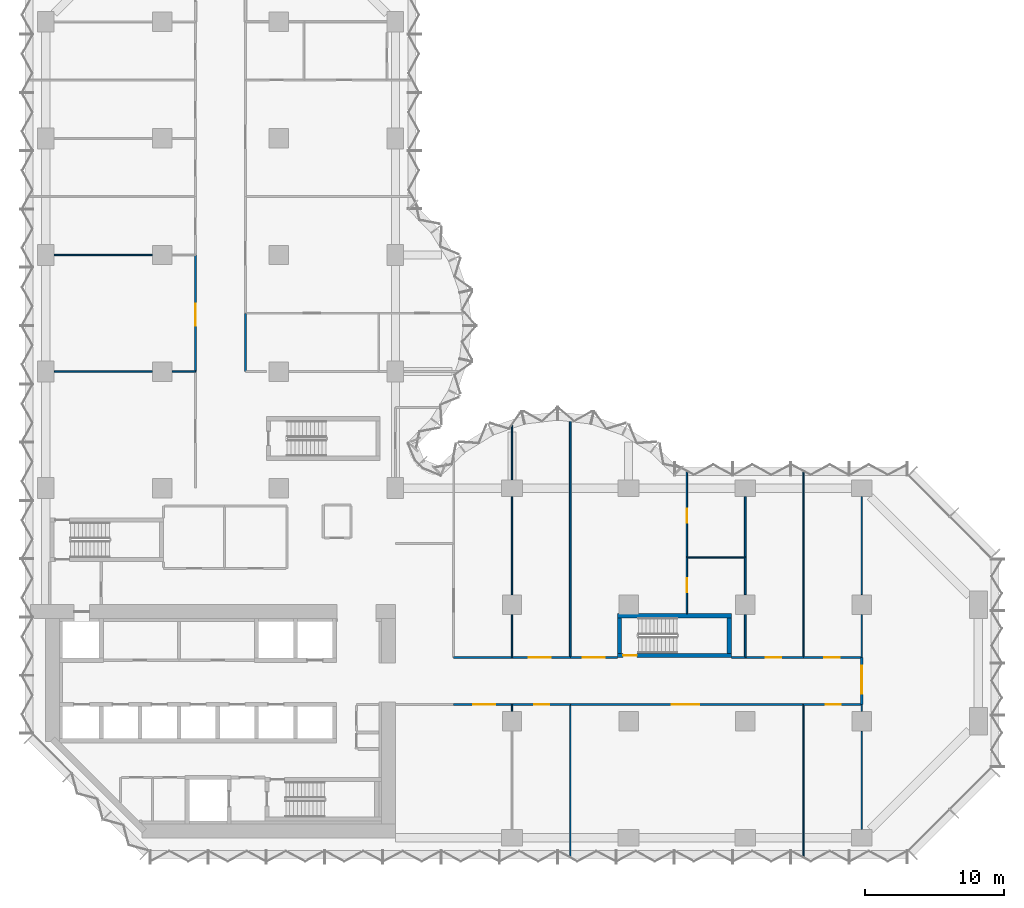
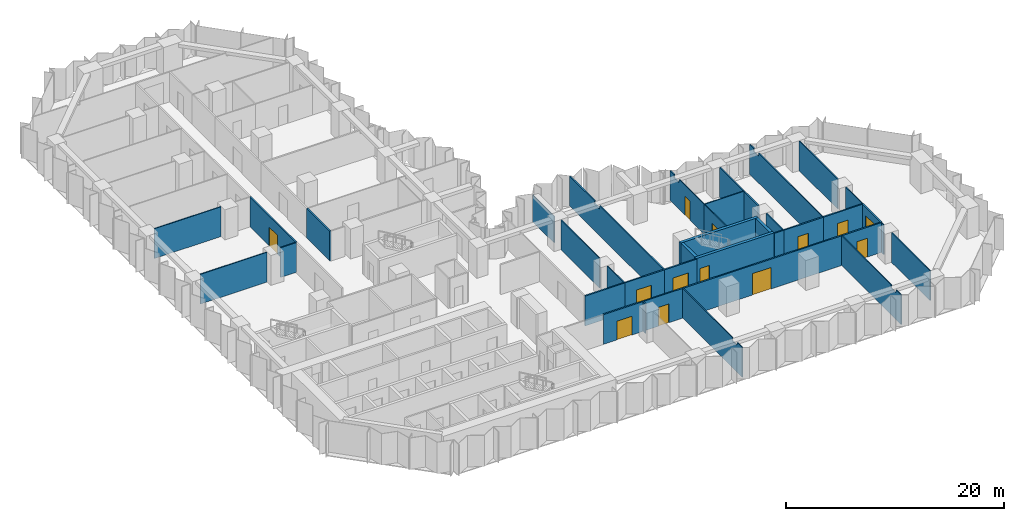
# One storey, part 10 of 15: 38 walls, 13 doors, 13 openings.
"""IFC4 building model written with IfcOpenShell, lengths in metres."""

from ifc_helpers import new_model, si_unit, direction, frame, frame_2d, origin, place, context, subcontext, project, spatial, polyline, rectangle, outline, extrude, material, layer, layer_set, type_object, element, fill, save


model = new_model("IFC4")

# Units and contexts
model_context = context("Model", 3, precision=1e-05, world=origin(), true_north=direction((0.0, 1.0)))
body_context = subcontext(model_context, "Body", "Model", "MODEL_VIEW")
ifc_project = project(units=[si_unit("LENGTHUNIT", "METRE"), si_unit("AREAUNIT", "SQUARE_METRE"), si_unit("VOLUMEUNIT", "CUBIC_METRE"), si_unit("PLANEANGLEUNIT", "RADIAN"), si_unit("MASSUNIT", "GRAM", prefix="KILO")], contexts=[model_context])

# Site, building, storey
site_placement = place(None, origin())
site = spatial("IfcSite", under=ifc_project, at=site_placement, CompositionType="ELEMENT")
building_placement = place(site_placement, origin())
building = spatial("IfcBuilding", under=site, at=building_placement, Name="Brevane Broadcast Tower", CompositionType="ELEMENT")
storey_placement = place(building_placement, frame((0.0, 0.0, 72.5)))
storey = spatial("IfcBuildingStorey", under=building, at=storey_placement, Name="L16", CompositionType="ELEMENT", Elevation=72.5)

# Wall, opening, door
ifc_material_1 = material(Name="Concrete C80/95", Category="concrete")
ifc_layer_1 = layer(ifc_material_1, 0.300048828125)
ifc_layer_set_1 = layer_set([ifc_layer_1], Name="Core wall 300 mm C80/95")
wall_type_1 = type_object("IfcWallType", Name="Core wall 300 mm C80/95", PredefinedType="SHEAR", material=ifc_layer_set_1)
wall_1_placement = place(storey_placement, frame((49.39990234375, 13.14990234375, 0.0), z_axis=(0.0, 0.0, 1.0), x_axis=(-1.0, 0.0, 0.0)))
wall_1 = element("IfcWall", 1, at=wall_1_placement, inside=storey, type_object=wall_type_1, Name="L16 stair wall ST-4-S", PredefinedType="SHEAR", context=body_context, shape_type="SweptSolid", body=[
    extrude(rectangle(XDim=8.199951171875, YDim=0.300048828125, at=frame_2d((4.10009765625, 0.0))), origin(), (0.0, 0.0, 1.0), 3.35009765625),
])
opening_1_placement = place(wall_1_placement, frame((6.800048828125, 0.0, 0.0)))
opening_1 = element("IfcOpeningElement", 2, at=opening_1_placement, cuts=wall_1, Name="Opening L16-K15", PredefinedType="OPENING", context=body_context, shape_type="SweptSolid", body=[
    extrude(rectangle(XDim=1.0, YDim=2.10009765625, at=frame_2d((0.5, 1.050048828125))), frame((0.0, 0.159912109375, 0.0), z_axis=(0.0, -1.0, 0.0), x_axis=(1.0, 0.0, 0.0)), (0.0, 0.0, 1.0), 0.320068359375),
])
ifc_material_2 = material(Name="Steel", Category="steel")
door_type_1 = type_object("IfcDoorType", Name="Stair door 1000 x 2100", OperationType="SINGLE_SWING_LEFT", PredefinedType="DOOR", material=ifc_material_2)
door_1_placement = place(opening_1_placement, origin())
door_1 = element("IfcDoor", 3, at=door_1_placement, inside=storey, type_object=door_type_1, Name="Door L16-K15", OperationType="SINGLE_SWING_RIGHT", OverallHeight=2.10009765625, OverallWidth=1.0, PredefinedType="DOOR", context=body_context, shape_type="SweptSolid", body=[
    extrude(rectangle(XDim=1.0, YDim=2.10009765625, at=frame_2d((0.5, 1.050048828125))), frame((0.0, 0.02490234375, 0.0), z_axis=(0.0, -1.0, 0.0), x_axis=(1.0, 0.0, 0.0)), (0.0, 0.0, 1.0), 0.050048828125),
])
fill(opening_1, door_1)

# Walls
wall_2_placement = place(storey_placement, frame((41.199951171875, 16.0, 0.0), z_axis=(0.0, 0.0, 1.0), x_axis=(1.0, 0.0, 0.0)))
element("IfcWall", 4, at=wall_2_placement, inside=storey, type_object=wall_type_1, Name="L16 stair wall ST-4-N", PredefinedType="SHEAR", context=body_context, shape_type="SweptSolid", body=[
    extrude(rectangle(XDim=8.199951171875, YDim=0.300048828125, at=frame_2d((4.10009765625, 0.0))), origin(), (0.0, 0.0, 1.0), 3.35009765625),
])
for number, where, z_axis, x_axis, name in (
    (5, (41.35009765625, 13.300048828125, 0.0), (0.0, 0.0, 1.0), (0.0, 1.0, 0.0), "L16 stair wall ST-4-W"),
    (6, (49.25, 13.300048828125, 0.0), (0.0, 0.0, 1.0), (0.0, 1.0, 0.0), "L16 stair wall ST-4-E"),
):
    element("IfcWall", number, at=place(storey_placement, frame(where, z_axis=z_axis, x_axis=x_axis)), inside=storey, type_object=wall_type_1, Name=name, PredefinedType="SHEAR", context=body_context, shape_type="SweptSolid", body=[
        extrude(rectangle(XDim=2.550048828125, YDim=0.300048828125, at=frame_2d((1.27490234375, 0.0))), origin(), (0.0, 0.0, 1.0), 3.35009765625),
    ])
ifc_material_3 = material(Name="Gypsum board partition")
ifc_layer_2 = layer(ifc_material_3, 0.10009765625)
ifc_layer_set_2 = layer_set([ifc_layer_2], Name="PARTITION 100 STUD")
wall_type_2 = type_object("IfcWallType", Name="PARTITION 100 STUD", PredefinedType="PARTITIONING", material=ifc_layer_set_2)
wall_3_placement = place(storey_placement, frame((58.800048828125, 0.6201171875, 0.0), z_axis=(0.0, 0.0, 1.0), x_axis=(0.0, 1.0, 0.0)))
element("IfcWall", 7, at=wall_3_placement, inside=storey, type_object=wall_type_2, Name="Partition G04-018", PredefinedType="PARTITIONING", context=body_context, shape_type="SweptSolid", body=[
    extrude(rectangle(XDim=7.059814453125, YDim=0.10009765625, at=frame_2d((3.52978515625, 0.0))), origin(), (0.0, 0.0, 1.0), 3.330078125),
])
wall_4_placement = place(storey_placement, frame((58.800048828125, 9.1201171875, 0.0), z_axis=(0.0, 0.0, 1.0), x_axis=(0.0, 1.0, 0.0)))
element("IfcWall", 8, at=wall_4_placement, inside=storey, type_object=wall_type_2, Name="Partition G04-019", PredefinedType="PARTITIONING", context=body_context, shape_type="SweptSolid", body=[
    extrude(rectangle(XDim=0.47998046875, YDim=0.10009765625, at=frame_2d((0.239990234375, 0.0))), origin(), (0.0, 0.0, 1.0), 3.330078125),
])
wall_5_placement = place(storey_placement, frame((58.800048828125, 13.0, 0.0), z_axis=(0.0, 0.0, 1.0), x_axis=(0.0, 1.0, 0.0)))
element("IfcWall", 9, at=wall_5_placement, inside=storey, type_object=wall_type_2, Name="Partition G04-020", PredefinedType="PARTITIONING", context=body_context, shape_type="SweptSolid", body=[
    extrude(rectangle(XDim=3.080078125, YDim=0.10009765625, at=frame_2d((1.5400390625, 0.0))), origin(), (0.0, 0.0, 1.0), 3.330078125),
])
wall_6_placement = place(storey_placement, frame((58.800048828125, 17.52001953125, 0.0), z_axis=(0.0, 0.0, 1.0), x_axis=(0.0, 1.0, 0.0)))
element("IfcWall", 10, at=wall_6_placement, inside=storey, type_object=wall_type_2, Name="Partition G04-021", PredefinedType="PARTITIONING", context=body_context, shape_type="SweptSolid", body=[
    extrude(rectangle(XDim=7.06005859375, YDim=0.10009765625, at=frame_2d((3.530029296875, 0.0))), origin(), (0.0, 0.0, 1.0), 3.330078125),
])
wall_7_placement = place(storey_placement, frame((33.60009765625, 9.60009765625, 0.0), z_axis=(0.0, 0.0, 1.0), x_axis=(0.0, -1.0, 0.0)))
element("IfcWall", 11, at=wall_7_placement, inside=storey, type_object=wall_type_2, Name="Partition G04-022", PredefinedType="PARTITIONING", context=body_context, shape_type="SweptSolid", body=[
    extrude(rectangle(XDim=0.47998046875, YDim=0.10009765625, at=frame_2d((0.239990234375, 0.0))), origin(), (0.0, 0.0, 1.0), 3.330078125),
])
for number, where, z_axis, x_axis, name in (
    (12, (37.800048828125, 9.60009765625, 0.0), (0.0, 0.0, 1.0), (0.0, -1.0, 0.0), "Partition G04-024"),
    (13, (54.60009765625, 9.60009765625, 0.0), (0.0, 0.0, 1.0), (0.0, -1.0, 0.0), "Partition G04-025"),
):
    element("IfcWall", number, at=place(storey_placement, frame(where, z_axis=z_axis, x_axis=x_axis)), inside=storey, type_object=wall_type_2, Name=name, PredefinedType="PARTITIONING", context=body_context, shape_type="SweptSolid", body=[
        extrude(outline(polyline([(0.0, 0.0), (10.965087890625, 0.0), (10.965087890625, 3.330078125), (10.699951171875, 3.330078125), (10.050048828125, 3.330078125), (10.048095703125, 2.97998046875), (9.152099609375, 2.97998046875), (9.14990234375, 3.330078125), (0.0, 3.330078125), (0.0, 0.0)])), frame((0.0, 0.050048828125, 0.0), z_axis=(0.0, -1.0, 0.0), x_axis=(1.0, 0.0, 0.0)), (0.0, 0.0, 1.0), 0.10009765625),
    ])
wall_8_placement = place(storey_placement, frame((33.60009765625, 29.761962890625, 0.0), z_axis=(0.0, 0.0, 1.0), x_axis=(0.0, -1.0, 0.0)))
element("IfcWall", 14, at=wall_8_placement, inside=storey, type_object=wall_type_2, Name="Partition G04-026", PredefinedType="PARTITIONING", context=body_context, shape_type="SweptSolid", body=[
    extrude(rectangle(XDim=3.94189453125, YDim=0.10009765625, at=frame_2d((1.970947265625, 0.0))), origin(), (0.0, 0.0, 1.0), 2.97998046875),
])
wall_9_placement = place(storey_placement, frame((33.60009765625, 24.580078125, 0.0), z_axis=(0.0, 0.0, 1.0), x_axis=(0.0, -1.0, 0.0)))
element("IfcWall", 15, at=wall_9_placement, inside=storey, type_object=wall_type_2, Name="Partition G04-027", PredefinedType="PARTITIONING", context=body_context, shape_type="SweptSolid", body=[
    extrude(rectangle(XDim=7.06005859375, YDim=0.10009765625, at=frame_2d((3.530029296875, 0.0))), origin(), (0.0, 0.0, 1.0), 3.330078125),
])
wall_10_placement = place(storey_placement, frame((33.60009765625, 16.080078125, 0.0), z_axis=(0.0, 0.0, 1.0), x_axis=(0.0, -1.0, 0.0)))
element("IfcWall", 16, at=wall_10_placement, inside=storey, type_object=wall_type_2, Name="Partition G04-028", PredefinedType="PARTITIONING", context=body_context, shape_type="SweptSolid", body=[
    extrude(rectangle(XDim=3.080078125, YDim=0.10009765625, at=frame_2d((1.5400390625, 0.0))), origin(), (0.0, 0.0, 1.0), 3.330078125),
])

# Wall, opening, door
wall_11_placement = place(storey_placement, frame((46.199951171875, 20.199951171875, 0.0), z_axis=(0.0, 0.0, 1.0), x_axis=(0.0, -1.0, 0.0)))
wall_11 = element("IfcWall", 17, at=wall_11_placement, inside=storey, type_object=wall_type_2, Name="Partition G04-030", PredefinedType="PARTITIONING", context=body_context, shape_type="SweptSolid", body=[
    extrude(rectangle(XDim=4.050048828125, YDim=0.10009765625, at=frame_2d((2.02490234375, 0.0))), origin(), (0.0, 0.0, 1.0), 3.330078125),
])
opening_2_placement = place(wall_11_placement, frame((1.5, 0.0, 0.0)))
opening_2 = element("IfcOpeningElement", 18, at=opening_2_placement, cuts=wall_11, Name="Opening D10-010", PredefinedType="OPENING", context=body_context, shape_type="SweptSolid", body=[
    extrude(rectangle(XDim=1.0, YDim=2.10009765625, at=frame_2d((0.5, 1.050048828125))), frame((0.0, 0.06005859375, 0.0), z_axis=(0.0, -1.0, 0.0), x_axis=(1.0, 0.0, 0.0)), (0.0, 0.0, 1.0), 0.1201171875),
])
ifc_material_4 = material(Name="Timber door leaf", Category="wood")
door_type_2 = type_object("IfcDoorType", Name="DOOR SINGLE 1000 INTERNAL", OperationType="SINGLE_SWING_LEFT", PredefinedType="DOOR", material=ifc_material_4)
door_2_placement = place(opening_2_placement, origin())
door_2 = element("IfcDoor", 19, at=door_2_placement, inside=storey, type_object=door_type_2, Name="Door D10-010", OperationType="SINGLE_SWING_LEFT", OverallHeight=2.10009765625, OverallWidth=1.0, PredefinedType="DOOR", context=body_context, shape_type="SweptSolid", body=[
    extrude(rectangle(XDim=1.0, YDim=2.10009765625, at=frame_2d((0.5, 1.050048828125))), frame((0.0, 0.02490234375, 0.0), z_axis=(0.0, -1.0, 0.0), x_axis=(1.0, 0.0, 0.0)), (0.0, 0.0, 1.0), 0.050048828125),
])
fill(opening_2, door_2)

wall_12_placement = place(storey_placement, frame((46.199951171875, 26.3740234375, 0.0), z_axis=(0.0, 0.0, 1.0), x_axis=(0.0, -1.0, 0.0)))
wall_12 = element("IfcWall", 20, at=wall_12_placement, inside=storey, type_object=wall_type_2, Name="Partition G04-031", PredefinedType="PARTITIONING", context=body_context, shape_type="SweptSolid", body=[
    extrude(outline(polyline([(0.0, 0.0), (6.174072265625, 0.0), (6.174072265625, 3.330078125), (1.6240234375, 3.330078125), (1.6220703125, 2.97998046875), (0.72607421875, 2.97998046875), (0.72412109375, 3.330078125), (0.073974609375, 3.330078125), (0.0, 3.330078125), (0.0, 0.0)])), frame((0.0, 0.050048828125, 0.0), z_axis=(0.0, -1.0, 0.0), x_axis=(1.0, 0.0, 0.0)), (0.0, 0.0, 1.0), 0.10009765625),
])
opening_3_placement = place(wall_12_placement, frame((2.674072265625, 0.0, 0.0)))
opening_3 = element("IfcOpeningElement", 21, at=opening_3_placement, cuts=wall_12, Name="Opening D10-011", PredefinedType="OPENING", context=body_context, shape_type="SweptSolid", body=[
    extrude(rectangle(XDim=1.0, YDim=2.10009765625, at=frame_2d((0.5, 1.050048828125))), frame((0.0, 0.06005859375, 0.0), z_axis=(0.0, -1.0, 0.0), x_axis=(1.0, 0.0, 0.0)), (0.0, 0.0, 1.0), 0.1201171875),
])
door_3_placement = place(opening_3_placement, origin())
door_3 = element("IfcDoor", 22, at=door_3_placement, inside=storey, type_object=door_type_2, Name="Door D10-011", OperationType="SINGLE_SWING_LEFT", OverallHeight=2.10009765625, OverallWidth=1.0, PredefinedType="DOOR", context=body_context, shape_type="SweptSolid", body=[
    extrude(rectangle(XDim=1.0, YDim=2.10009765625, at=frame_2d((0.5, 1.050048828125))), frame((0.0, 0.02490234375, 0.0), z_axis=(0.0, -1.0, 0.0), x_axis=(1.0, 0.0, 0.0)), (0.0, 0.0, 1.0), 0.050048828125),
])
fill(opening_3, door_3)

# Walls
wall_13_placement = place(storey_placement, frame((46.199951171875, 20.199951171875, 0.0), z_axis=(0.0, 0.0, 1.0), x_axis=(1.0, 0.0, 0.0)))
element("IfcWall", 23, at=wall_13_placement, inside=storey, type_object=wall_type_2, Name="Partition G04-032", PredefinedType="PARTITIONING", context=body_context, shape_type="SweptSolid", body=[
    extrude(rectangle(XDim=4.199951171875, YDim=0.10009765625, at=frame_2d((2.10009765625, 0.0))), origin(), (0.0, 0.0, 1.0), 3.330078125),
])
wall_14_placement = place(storey_placement, frame((54.60009765625, 26.3740234375, 0.0), z_axis=(0.0, 0.0, 1.0), x_axis=(0.0, -1.0, 0.0)))
element("IfcWall", 24, at=wall_14_placement, inside=storey, type_object=wall_type_2, Name="Partition G04-036", PredefinedType="PARTITIONING", context=body_context, shape_type="SweptSolid", body=[
    extrude(outline(polyline([(0.0, 0.0), (13.3740234375, 0.0), (13.3740234375, 3.330078125), (1.6240234375, 3.330078125), (1.6220703125, 2.97998046875), (0.72607421875, 2.97998046875), (0.72412109375, 3.330078125), (0.073974609375, 3.330078125), (0.0, 3.330078125), (0.0, 0.0)])), frame((0.0, 0.050048828125, 0.0), z_axis=(0.0, -1.0, 0.0), x_axis=(1.0, 0.0, 0.0)), (0.0, 0.0, 1.0), 0.10009765625),
])
wall_15_placement = place(storey_placement, frame((0.6201171875, 33.60009765625, 0.0), z_axis=(0.0, 0.0, 1.0), x_axis=(1.0, 0.0, 0.0)))
element("IfcWall", 25, at=wall_15_placement, inside=storey, type_object=wall_type_2, Name="Partition G04-056", PredefinedType="PARTITIONING", context=body_context, shape_type="SweptSolid", body=[
    extrude(rectangle(XDim=7.059814453125, YDim=0.10009765625, at=frame_2d((3.52978515625, 0.0))), origin(), (0.0, 0.0, 1.0), 3.330078125),
])
wall_16_placement = place(storey_placement, frame((9.1201171875, 33.60009765625, 0.0), z_axis=(0.0, 0.0, 1.0), x_axis=(1.0, 0.0, 0.0)))
element("IfcWall", 26, at=wall_16_placement, inside=storey, type_object=wall_type_2, Name="Partition G04-057", PredefinedType="PARTITIONING", context=body_context, shape_type="SweptSolid", body=[
    extrude(rectangle(XDim=1.679931640625, YDim=0.10009765625, at=frame_2d((0.83984375, 0.0))), origin(), (0.0, 0.0, 1.0), 3.330078125),
])
wall_17_placement = place(storey_placement, frame((0.6201171875, 42.0, 0.0), z_axis=(0.0, 0.0, 1.0), x_axis=(1.0, 0.0, 0.0)))
element("IfcWall", 27, at=wall_17_placement, inside=storey, type_object=wall_type_2, Name="Partition G04-058", PredefinedType="PARTITIONING", context=body_context, shape_type="SweptSolid", body=[
    extrude(rectangle(XDim=7.059814453125, YDim=0.10009765625, at=frame_2d((3.52978515625, 0.0))), origin(), (0.0, 0.0, 1.0), 3.330078125),
])
ifc_layer_3 = layer(ifc_material_3, 0.125)
ifc_layer_set_3 = layer_set([ifc_layer_3], Name="PARTITION 125 ACOUSTIC")
wall_type_3 = type_object("IfcWallType", Name="PARTITION 125 ACOUSTIC", PredefinedType="PARTITIONING", material=ifc_layer_set_3)
wall_18_placement = place(storey_placement, frame((37.800048828125, 30.24267578125, 0.0), z_axis=(0.0, 0.0, 1.0), x_axis=(0.0, -1.0, 0.0)))
element("IfcWall", 28, at=wall_18_placement, inside=storey, type_object=wall_type_3, Name="Partition G04-029", PredefinedType="PARTITIONING", context=body_context, shape_type="SweptSolid", body=[
    extrude(outline(polyline([(0.0, 0.0), (17.24267578125, 0.0), (17.24267578125, 3.330078125), (5.49267578125, 3.330078125), (5.49072265625, 2.97998046875), (4.5947265625, 2.97998046875), (4.5927734375, 3.330078125), (0.0, 3.330078125), (0.0, 0.0)])), frame((0.0, 0.0625, 0.0), z_axis=(0.0, -1.0, 0.0), x_axis=(1.0, 0.0, 0.0)), (0.0, 0.0, 1.0), 0.125),
])
wall_19_placement = place(storey_placement, frame((50.39990234375, 20.199951171875, 0.0), z_axis=(0.0, 0.0, 1.0), x_axis=(0.0, -1.0, 0.0)))
element("IfcWall", 29, at=wall_19_placement, inside=storey, type_object=wall_type_3, Name="Partition G04-033", PredefinedType="PARTITIONING", context=body_context, shape_type="SweptSolid", body=[
    extrude(rectangle(XDim=2.679931640625, YDim=0.125, at=frame_2d((1.33984375, 0.0))), origin(), (0.0, 0.0, 1.0), 3.330078125),
])
wall_20_placement = place(storey_placement, frame((50.39990234375, 16.080078125, 0.0), z_axis=(0.0, 0.0, 1.0), x_axis=(0.0, -1.0, 0.0)))
element("IfcWall", 30, at=wall_20_placement, inside=storey, type_object=wall_type_3, Name="Partition G04-034", PredefinedType="PARTITIONING", context=body_context, shape_type="SweptSolid", body=[
    extrude(rectangle(XDim=3.080078125, YDim=0.125, at=frame_2d((1.5400390625, 0.0))), origin(), (0.0, 0.0, 1.0), 3.330078125),
])
wall_21_placement = place(storey_placement, frame((50.39990234375, 24.580078125, 0.0), z_axis=(0.0, 0.0, 1.0), x_axis=(0.0, -1.0, 0.0)))
element("IfcWall", 31, at=wall_21_placement, inside=storey, type_object=wall_type_3, Name="Partition G04-035", PredefinedType="PARTITIONING", context=body_context, shape_type="SweptSolid", body=[
    extrude(rectangle(XDim=4.380126953125, YDim=0.125, at=frame_2d((2.18994140625, 0.0))), origin(), (0.0, 0.0, 1.0), 3.330078125),
])

# Wall, opening, door
ifc_layer_4 = layer(ifc_material_3, 0.14990234375)
ifc_layer_set_4 = layer_set([ifc_layer_4], Name="PARTITION 150 EI 60")
wall_type_4 = type_object("IfcWallType", Name="PARTITION 150 EI 60", PredefinedType="PARTITIONING", material=ifc_layer_set_4)
wall_22_placement = place(storey_placement, frame((58.800048828125, 13.0, 0.0), z_axis=(0.0, 0.0, 1.0), x_axis=(0.0, -1.0, 0.0)))
wall_22 = element("IfcWall", 32, at=wall_22_placement, inside=storey, type_object=wall_type_4, Name="Partition G04-007", PredefinedType="PARTITIONING", context=body_context, shape_type="SweptSolid", body=[
    extrude(rectangle(XDim=3.39990234375, YDim=0.14990234375, at=frame_2d((1.699951171875, 0.0))), origin(), (0.0, 0.0, 1.0), 3.330078125),
])
opening_4_placement = place(wall_22_placement, frame((0.60009765625, 0.0, 0.0)))
opening_4 = element("IfcOpeningElement", 33, at=opening_4_placement, cuts=wall_22, Name="Opening D10-002", PredefinedType="OPENING", context=body_context, shape_type="SweptSolid", body=[
    extrude(rectangle(XDim=2.0, YDim=2.39990234375, at=frame_2d((1.0, 1.199951171875))), frame((0.0, 0.0849609375, 0.0), z_axis=(0.0, -1.0, 0.0), x_axis=(1.0, 0.0, 0.0)), (0.0, 0.0, 1.0), 0.169921875),
])
ifc_material_5 = material(Name="Fire-rated timber door leaf", Category="wood")
door_type_3 = type_object("IfcDoorType", Name="DOOR DOUBLE 2000 FD30S", OperationType="DOUBLE_DOOR_SINGLE_SWING", PredefinedType="DOOR", material=ifc_material_5)
door_4_placement = place(opening_4_placement, origin())
door_4 = element("IfcDoor", 34, at=door_4_placement, inside=storey, type_object=door_type_3, Name="Door D10-002", OperationType="DOUBLE_DOOR_SINGLE_SWING", OverallHeight=2.39990234375, OverallWidth=2.0, PredefinedType="DOOR", context=body_context, shape_type="SweptSolid", body=[
    extrude(rectangle(XDim=2.0, YDim=2.39990234375, at=frame_2d((1.0, 1.199951171875))), frame((0.0, 0.02490234375, 0.0), z_axis=(0.0, -1.0, 0.0), x_axis=(1.0, 0.0, 0.0)), (0.0, 0.0, 1.0), 0.050048828125),
])
fill(opening_4, door_4)

wall_23_placement = place(storey_placement, frame((33.60009765625, 9.60009765625, 0.0), z_axis=(0.0, 0.0, 1.0), x_axis=(-1.0, 0.0, 0.0)))
wall_23 = element("IfcWall", 35, at=wall_23_placement, inside=storey, type_object=wall_type_4, Name="Partition G04-008", PredefinedType="PARTITIONING", context=body_context, shape_type="SweptSolid", body=[
    extrude(rectangle(XDim=4.2001953125, YDim=0.14990234375, at=frame_2d((2.10009765625, 0.0))), origin(), (0.0, 0.0, 1.0), 3.330078125),
])
opening_5_placement = place(wall_23_placement, frame((1.199951171875, 0.0, 0.0)))
opening_5 = element("IfcOpeningElement", 36, at=opening_5_placement, cuts=wall_23, Name="Opening D10-003", PredefinedType="OPENING", context=body_context, shape_type="SweptSolid", body=[
    extrude(rectangle(XDim=1.60009765625, YDim=2.10009765625, at=frame_2d((0.800048828125, 1.050048828125))), frame((0.0, 0.0849609375, 0.0), z_axis=(0.0, -1.0, 0.0), x_axis=(1.0, 0.0, 0.0)), (0.0, 0.0, 1.0), 0.169921875),
])
door_type_4 = type_object("IfcDoorType", Name="DOOR DOUBLE 1600 FD30S", OperationType="DOUBLE_DOOR_SINGLE_SWING", PredefinedType="DOOR", material=ifc_material_5)
door_5_placement = place(opening_5_placement, origin())
door_5 = element("IfcDoor", 37, at=door_5_placement, inside=storey, type_object=door_type_4, Name="Door D10-003", OperationType="DOUBLE_DOOR_SINGLE_SWING", OverallHeight=2.10009765625, OverallWidth=1.60009765625, PredefinedType="DOOR", context=body_context, shape_type="SweptSolid", body=[
    extrude(rectangle(XDim=1.60009765625, YDim=2.10009765625, at=frame_2d((0.800048828125, 1.050048828125))), frame((0.0, 0.02490234375, 0.0), z_axis=(0.0, -1.0, 0.0), x_axis=(1.0, 0.0, 0.0)), (0.0, 0.0, 1.0), 0.050048828125),
])
fill(opening_5, door_5)

wall_24_placement = place(storey_placement, frame((37.800048828125, 9.60009765625, 0.0), z_axis=(0.0, 0.0, 1.0), x_axis=(-1.0, 0.0, 0.0)))
wall_24 = element("IfcWall", 38, at=wall_24_placement, inside=storey, type_object=wall_type_4, Name="Partition G04-009", PredefinedType="PARTITIONING", context=body_context, shape_type="SweptSolid", body=[
    extrude(rectangle(XDim=4.199951171875, YDim=0.14990234375, at=frame_2d((2.10009765625, 0.0))), origin(), (0.0, 0.0, 1.0), 3.330078125),
])
opening_6_placement = place(wall_24_placement, frame((1.5, 0.0, 0.0)))
opening_6 = element("IfcOpeningElement", 39, at=opening_6_placement, cuts=wall_24, Name="Opening D10-004", PredefinedType="OPENING", context=body_context, shape_type="SweptSolid", body=[
    extrude(rectangle(XDim=1.10009765625, YDim=2.10009765625, at=frame_2d((0.550048828125, 1.050048828125))), frame((0.0, 0.0849609375, 0.0), z_axis=(0.0, -1.0, 0.0), x_axis=(1.0, 0.0, 0.0)), (0.0, 0.0, 1.0), 0.169921875),
])
door_type_5 = type_object("IfcDoorType", Name="DOOR SINGLE 1100 FD30S", OperationType="SINGLE_SWING_LEFT", PredefinedType="DOOR", material=ifc_material_5)
door_6_placement = place(opening_6_placement, origin())
door_6 = element("IfcDoor", 40, at=door_6_placement, inside=storey, type_object=door_type_5, Name="Door D10-004", OperationType="SINGLE_SWING_LEFT", OverallHeight=2.10009765625, OverallWidth=1.10009765625, PredefinedType="DOOR", context=body_context, shape_type="SweptSolid", body=[
    extrude(rectangle(XDim=1.10009765625, YDim=2.10009765625, at=frame_2d((0.550048828125, 1.050048828125))), frame((0.0, 0.02490234375, 0.0), z_axis=(0.0, -1.0, 0.0), x_axis=(1.0, 0.0, 0.0)), (0.0, 0.0, 1.0), 0.050048828125),
])
fill(opening_6, door_6)

wall_25_placement = place(storey_placement, frame((54.60009765625, 9.60009765625, 0.0), z_axis=(0.0, 0.0, 1.0), x_axis=(-1.0, 0.0, 0.0)))
wall_25 = element("IfcWall", 41, at=wall_25_placement, inside=storey, type_object=wall_type_4, Name="Partition G04-010", PredefinedType="PARTITIONING", context=body_context, shape_type="SweptSolid", body=[
    extrude(rectangle(XDim=16.800048828125, YDim=0.14990234375, at=frame_2d((8.39990234375, 0.0))), origin(), (0.0, 0.0, 1.0), 3.330078125),
])
opening_7_placement = place(wall_25_placement, frame((7.5, 0.0, 0.0)))
opening_7 = element("IfcOpeningElement", 42, at=opening_7_placement, cuts=wall_25, Name="Opening D10-005", PredefinedType="OPENING", context=body_context, shape_type="SweptSolid", body=[
    extrude(rectangle(XDim=2.0, YDim=2.39990234375, at=frame_2d((1.0, 1.199951171875))), frame((0.0, 0.0849609375, 0.0), z_axis=(0.0, -1.0, 0.0), x_axis=(1.0, 0.0, 0.0)), (0.0, 0.0, 1.0), 0.169921875),
])
door_7_placement = place(opening_7_placement, origin())
door_7 = element("IfcDoor", 43, at=door_7_placement, inside=storey, type_object=door_type_3, Name="Door D10-005", OperationType="DOUBLE_DOOR_SINGLE_SWING", OverallHeight=2.39990234375, OverallWidth=2.0, PredefinedType="DOOR", context=body_context, shape_type="SweptSolid", body=[
    extrude(rectangle(XDim=2.0, YDim=2.39990234375, at=frame_2d((1.0, 1.199951171875))), frame((0.0, 0.02490234375, 0.0), z_axis=(0.0, -1.0, 0.0), x_axis=(1.0, 0.0, 0.0)), (0.0, 0.0, 1.0), 0.050048828125),
])
fill(opening_7, door_7)

wall_26_placement = place(storey_placement, frame((58.800048828125, 9.60009765625, 0.0), z_axis=(0.0, 0.0, 1.0), x_axis=(-1.0, 0.0, 0.0)))
wall_26 = element("IfcWall", 44, at=wall_26_placement, inside=storey, type_object=wall_type_4, Name="Partition G04-011", PredefinedType="PARTITIONING", context=body_context, shape_type="SweptSolid", body=[
    extrude(rectangle(XDim=4.199951171875, YDim=0.14990234375, at=frame_2d((2.10009765625, 0.0))), origin(), (0.0, 0.0, 1.0), 3.330078125),
])
opening_8_placement = place(wall_26_placement, frame((1.5, 0.0, 0.0)))
opening_8 = element("IfcOpeningElement", 45, at=opening_8_placement, cuts=wall_26, Name="Opening D10-006", PredefinedType="OPENING", context=body_context, shape_type="SweptSolid", body=[
    extrude(rectangle(XDim=1.10009765625, YDim=2.10009765625, at=frame_2d((0.550048828125, 1.050048828125))), frame((0.0, 0.0849609375, 0.0), z_axis=(0.0, -1.0, 0.0), x_axis=(1.0, 0.0, 0.0)), (0.0, 0.0, 1.0), 0.169921875),
])
door_8_placement = place(opening_8_placement, origin())
door_8 = element("IfcDoor", 46, at=door_8_placement, inside=storey, type_object=door_type_5, Name="Door D10-006", OperationType="SINGLE_SWING_LEFT", OverallHeight=2.10009765625, OverallWidth=1.10009765625, PredefinedType="DOOR", context=body_context, shape_type="SweptSolid", body=[
    extrude(rectangle(XDim=1.10009765625, YDim=2.10009765625, at=frame_2d((0.550048828125, 1.050048828125))), frame((0.0, 0.02490234375, 0.0), z_axis=(0.0, -1.0, 0.0), x_axis=(1.0, 0.0, 0.0)), (0.0, 0.0, 1.0), 0.050048828125),
])
fill(opening_8, door_8)

# Wall
wall_27_placement = place(storey_placement, frame((29.39990234375, 13.0, 0.0), z_axis=(0.0, 0.0, 1.0), x_axis=(1.0, 0.0, 0.0)))
element("IfcWall", 47, at=wall_27_placement, inside=storey, type_object=wall_type_4, Name="Partition G04-012", PredefinedType="PARTITIONING", context=body_context, shape_type="SweptSolid", body=[
    extrude(rectangle(XDim=4.2001953125, YDim=0.14990234375, at=frame_2d((2.10009765625, 0.0))), origin(), (0.0, 0.0, 1.0), 3.330078125),
])

# Wall, opening, door
wall_28_placement = place(storey_placement, frame((33.60009765625, 13.0, 0.0), z_axis=(0.0, 0.0, 1.0), x_axis=(1.0, 0.0, 0.0)))
wall_28 = element("IfcWall", 48, at=wall_28_placement, inside=storey, type_object=wall_type_4, Name="Partition G04-013", PredefinedType="PARTITIONING", context=body_context, shape_type="SweptSolid", body=[
    extrude(rectangle(XDim=4.199951171875, YDim=0.14990234375, at=frame_2d((2.10009765625, 0.0))), origin(), (0.0, 0.0, 1.0), 3.330078125),
])
opening_9_placement = place(wall_28_placement, frame((1.199951171875, 0.0, 0.0)))
opening_9 = element("IfcOpeningElement", 49, at=opening_9_placement, cuts=wall_28, Name="Opening D10-008", PredefinedType="OPENING", context=body_context, shape_type="SweptSolid", body=[
    extrude(rectangle(XDim=1.60009765625, YDim=2.10009765625, at=frame_2d((0.800048828125, 1.050048828125))), frame((0.0, 0.0849609375, 0.0), z_axis=(0.0, -1.0, 0.0), x_axis=(1.0, 0.0, 0.0)), (0.0, 0.0, 1.0), 0.169921875),
])
door_9_placement = place(opening_9_placement, origin())
door_9 = element("IfcDoor", 50, at=door_9_placement, inside=storey, type_object=door_type_4, Name="Door D10-008", OperationType="DOUBLE_DOOR_SINGLE_SWING", OverallHeight=2.10009765625, OverallWidth=1.60009765625, PredefinedType="DOOR", context=body_context, shape_type="SweptSolid", body=[
    extrude(rectangle(XDim=1.60009765625, YDim=2.10009765625, at=frame_2d((0.800048828125, 1.050048828125))), frame((0.0, 0.02490234375, 0.0), z_axis=(0.0, -1.0, 0.0), x_axis=(1.0, 0.0, 0.0)), (0.0, 0.0, 1.0), 0.050048828125),
])
fill(opening_9, door_9)

wall_29_placement = place(storey_placement, frame((37.800048828125, 13.0, 0.0), z_axis=(0.0, 0.0, 1.0), x_axis=(1.0, 0.0, 0.0)))
wall_29 = element("IfcWall", 51, at=wall_29_placement, inside=storey, type_object=wall_type_4, Name="Partition G04-014", PredefinedType="PARTITIONING", context=body_context, shape_type="SweptSolid", body=[
    extrude(rectangle(XDim=3.39990234375, YDim=0.14990234375, at=frame_2d((1.699951171875, 0.0))), origin(), (0.0, 0.0, 1.0), 3.330078125),
])
opening_10_placement = place(wall_29_placement, frame((0.89990234375, 0.0, 0.0)))
opening_10 = element("IfcOpeningElement", 52, at=opening_10_placement, cuts=wall_29, Name="Opening D10-009", PredefinedType="OPENING", context=body_context, shape_type="SweptSolid", body=[
    extrude(rectangle(XDim=1.60009765625, YDim=2.10009765625, at=frame_2d((0.800048828125, 1.050048828125))), frame((0.0, 0.0849609375, 0.0), z_axis=(0.0, -1.0, 0.0), x_axis=(1.0, 0.0, 0.0)), (0.0, 0.0, 1.0), 0.169921875),
])
door_10_placement = place(opening_10_placement, origin())
door_10 = element("IfcDoor", 53, at=door_10_placement, inside=storey, type_object=door_type_4, Name="Door D10-009", OperationType="DOUBLE_DOOR_SINGLE_SWING", OverallHeight=2.10009765625, OverallWidth=1.60009765625, PredefinedType="DOOR", context=body_context, shape_type="SweptSolid", body=[
    extrude(rectangle(XDim=1.60009765625, YDim=2.10009765625, at=frame_2d((0.800048828125, 1.050048828125))), frame((0.0, 0.02490234375, 0.0), z_axis=(0.0, -1.0, 0.0), x_axis=(1.0, 0.0, 0.0)), (0.0, 0.0, 1.0), 0.050048828125),
])
fill(opening_10, door_10)

# Wall
wall_30_placement = place(storey_placement, frame((49.39990234375, 13.0, 0.0), z_axis=(0.0, 0.0, 1.0), x_axis=(1.0, 0.0, 0.0)))
element("IfcWall", 54, at=wall_30_placement, inside=storey, type_object=wall_type_4, Name="Partition G04-015", PredefinedType="PARTITIONING", context=body_context, shape_type="SweptSolid", body=[
    extrude(rectangle(XDim=1.0, YDim=0.14990234375, at=frame_2d((0.5, 0.0))), origin(), (0.0, 0.0, 1.0), 3.330078125),
])

# Wall, opening, door
wall_31_placement = place(storey_placement, frame((50.39990234375, 13.0, 0.0), z_axis=(0.0, 0.0, 1.0), x_axis=(1.0, 0.0, 0.0)))
wall_31 = element("IfcWall", 55, at=wall_31_placement, inside=storey, type_object=wall_type_4, Name="Partition G04-016", PredefinedType="PARTITIONING", context=body_context, shape_type="SweptSolid", body=[
    extrude(rectangle(XDim=4.2001953125, YDim=0.14990234375, at=frame_2d((2.10009765625, 0.0))), origin(), (0.0, 0.0, 1.0), 3.330078125),
])
opening_11_placement = place(wall_31_placement, frame((1.5, 0.0, 0.0)))
opening_11 = element("IfcOpeningElement", 56, at=opening_11_placement, cuts=wall_31, Name="Opening D10-012", PredefinedType="OPENING", context=body_context, shape_type="SweptSolid", body=[
    extrude(rectangle(XDim=1.10009765625, YDim=2.10009765625, at=frame_2d((0.550048828125, 1.050048828125))), frame((0.0, 0.0849609375, 0.0), z_axis=(0.0, -1.0, 0.0), x_axis=(1.0, 0.0, 0.0)), (0.0, 0.0, 1.0), 0.169921875),
])
door_11_placement = place(opening_11_placement, origin())
door_11 = element("IfcDoor", 57, at=door_11_placement, inside=storey, type_object=door_type_5, Name="Door D10-012", OperationType="SINGLE_SWING_LEFT", OverallHeight=2.10009765625, OverallWidth=1.10009765625, PredefinedType="DOOR", context=body_context, shape_type="SweptSolid", body=[
    extrude(rectangle(XDim=1.10009765625, YDim=2.10009765625, at=frame_2d((0.550048828125, 1.050048828125))), frame((0.0, 0.02490234375, 0.0), z_axis=(0.0, -1.0, 0.0), x_axis=(1.0, 0.0, 0.0)), (0.0, 0.0, 1.0), 0.050048828125),
])
fill(opening_11, door_11)

wall_32_placement = place(storey_placement, frame((54.60009765625, 13.0, 0.0), z_axis=(0.0, 0.0, 1.0), x_axis=(1.0, 0.0, 0.0)))
wall_32 = element("IfcWall", 58, at=wall_32_placement, inside=storey, type_object=wall_type_4, Name="Partition G04-017", PredefinedType="PARTITIONING", context=body_context, shape_type="SweptSolid", body=[
    extrude(rectangle(XDim=4.199951171875, YDim=0.14990234375, at=frame_2d((2.10009765625, 0.0))), origin(), (0.0, 0.0, 1.0), 3.330078125),
])
opening_12_placement = place(wall_32_placement, frame((1.5, 0.0, 0.0)))
opening_12 = element("IfcOpeningElement", 59, at=opening_12_placement, cuts=wall_32, Name="Opening D10-013", PredefinedType="OPENING", context=body_context, shape_type="SweptSolid", body=[
    extrude(rectangle(XDim=1.10009765625, YDim=2.10009765625, at=frame_2d((0.550048828125, 1.050048828125))), frame((0.0, 0.0849609375, 0.0), z_axis=(0.0, -1.0, 0.0), x_axis=(1.0, 0.0, 0.0)), (0.0, 0.0, 1.0), 0.169921875),
])
door_12_placement = place(opening_12_placement, origin())
door_12 = element("IfcDoor", 60, at=door_12_placement, inside=storey, type_object=door_type_5, Name="Door D10-013", OperationType="SINGLE_SWING_LEFT", OverallHeight=2.10009765625, OverallWidth=1.10009765625, PredefinedType="DOOR", context=body_context, shape_type="SweptSolid", body=[
    extrude(rectangle(XDim=1.10009765625, YDim=2.10009765625, at=frame_2d((0.550048828125, 1.050048828125))), frame((0.0, 0.02490234375, 0.0), z_axis=(0.0, -1.0, 0.0), x_axis=(1.0, 0.0, 0.0)), (0.0, 0.0, 1.0), 0.050048828125),
])
fill(opening_12, door_12)

wall_33_placement = place(storey_placement, frame((10.800048828125, 33.60009765625, 0.0), z_axis=(0.0, 0.0, 1.0), x_axis=(0.0, 1.0, 0.0)))
wall_33 = element("IfcWall", 61, at=wall_33_placement, inside=storey, type_object=wall_type_4, Name="Partition G04-043", PredefinedType="PARTITIONING", context=body_context, shape_type="SweptSolid", body=[
    extrude(rectangle(XDim=8.39990234375, YDim=0.14990234375, at=frame_2d((4.199951171875, 0.0))), origin(), (0.0, 0.0, 1.0), 3.330078125),
])
opening_13_placement = place(wall_33_placement, frame((3.300048828125, 0.0, 0.0)))
opening_13 = element("IfcOpeningElement", 62, at=opening_13_placement, cuts=wall_33, Name="Opening D10-016", PredefinedType="OPENING", context=body_context, shape_type="SweptSolid", body=[
    extrude(rectangle(XDim=1.60009765625, YDim=2.10009765625, at=frame_2d((0.800048828125, 1.050048828125))), frame((0.0, 0.0849609375, 0.0), z_axis=(0.0, -1.0, 0.0), x_axis=(1.0, 0.0, 0.0)), (0.0, 0.0, 1.0), 0.169921875),
])
door_13_placement = place(opening_13_placement, origin())
door_13 = element("IfcDoor", 63, at=door_13_placement, inside=storey, type_object=door_type_4, Name="Door D10-016", OperationType="DOUBLE_DOOR_SINGLE_SWING", OverallHeight=2.10009765625, OverallWidth=1.60009765625, PredefinedType="DOOR", context=body_context, shape_type="SweptSolid", body=[
    extrude(rectangle(XDim=1.60009765625, YDim=2.10009765625, at=frame_2d((0.800048828125, 1.050048828125))), frame((0.0, 0.02490234375, 0.0), z_axis=(0.0, -1.0, 0.0), x_axis=(1.0, 0.0, 0.0)), (0.0, 0.0, 1.0), 0.050048828125),
])
fill(opening_13, door_13)

# Wall
wall_34_placement = place(storey_placement, frame((14.39990234375, 37.800048828125, 0.0), z_axis=(0.0, 0.0, 1.0), x_axis=(0.0, -1.0, 0.0)))
element("IfcWall", 64, at=wall_34_placement, inside=storey, type_object=wall_type_4, Name="Partition G04-050", PredefinedType="PARTITIONING", context=body_context, shape_type="SweptSolid", body=[
    extrude(rectangle(XDim=4.199951171875, YDim=0.14990234375, at=frame_2d((2.10009765625, 0.0))), origin(), (0.0, 0.0, 1.0), 3.330078125),
])

save(model, "model.ifc")
